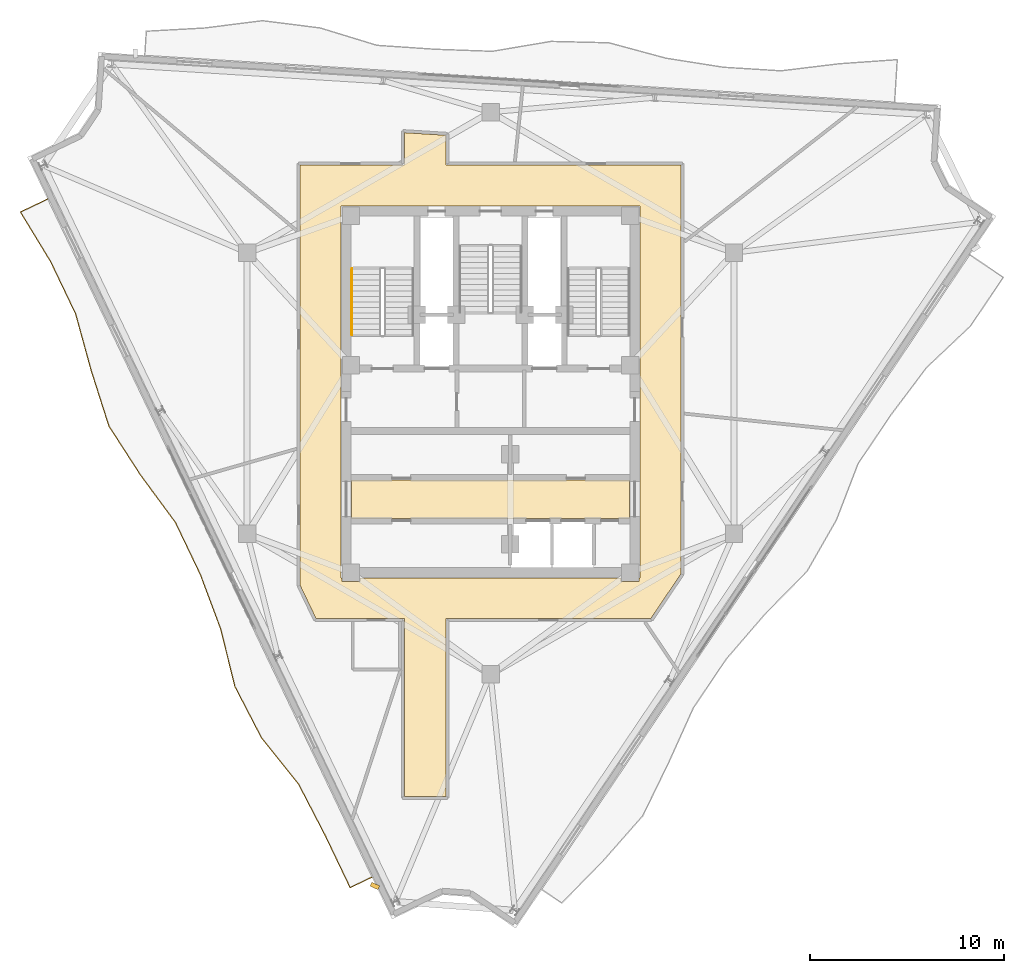
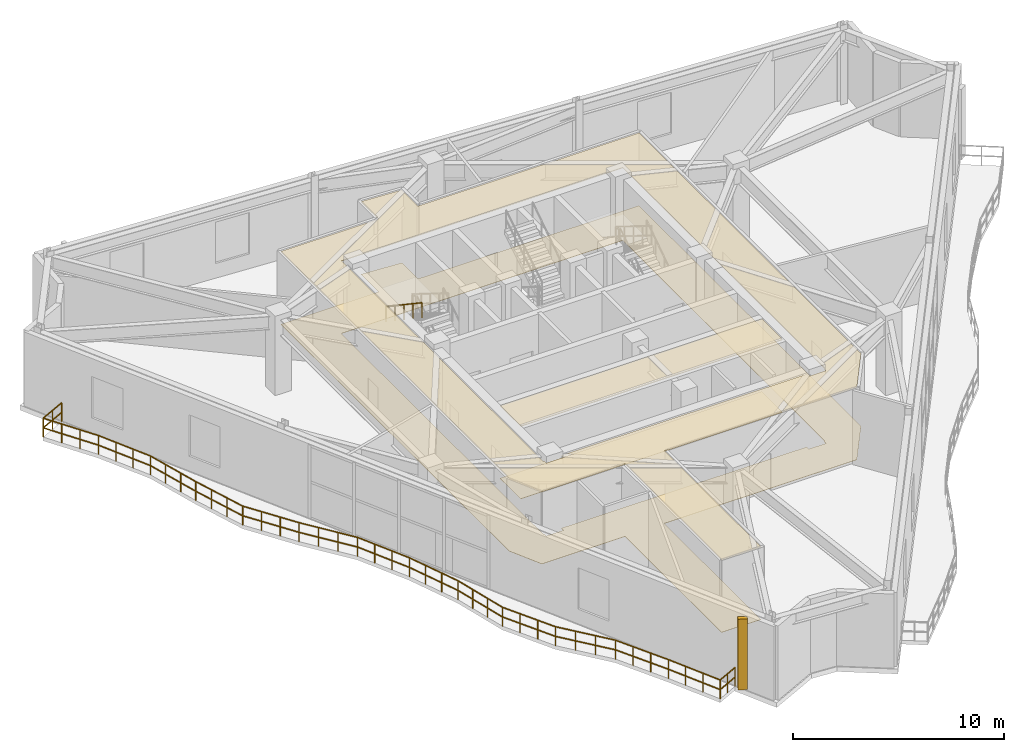
# One storey, part 13 of 15: 4 coverings, 2 railings, 1 shading device.
"""IFC4 building model written with IfcOpenShell, lengths in metres."""

import ifcopenshell
import ifcopenshell.guid

model = None  # the IFC model being written
_history = None  # IfcOwnerHistory: only IFC2X3 demands one
_inside = {}  # id of a spatial element -> (the spatial element, [elements in it])
_under = {}  # id of a project, library or spatial element -> (it, [spatial elements below it])
_declared = {}  # id of a project -> (the project, [libraries it declares])
_typed = {}  # id of a type object -> (the type object, [elements of that type])
_made_of = {}  # id of a material, layer set ... -> (it, [elements and type objects made of it])


def new_model(schema):
    """Start an empty IFC model of exactly this schema.

    Asked for "IFC4X3", IfcOpenShell would pick the latest addendum, in which some entities
    have other attributes; the version numbers below select the first issue.
    IFC2X3 requires an IfcOwnerHistory on every rooted entity: one is made here for all.
    """
    global model, _history
    if schema == "IFC4X3":
        model = ifcopenshell.file(schema_version=(4, 3, 0, 0))
    else:
        model = ifcopenshell.file(schema=schema)
    _inside.clear()
    _under.clear()
    _declared.clear()
    _typed.clear()
    _made_of.clear()
    _history = None
    if model.schema == "IFC2X3":
        org = make("IfcOrganization", Name="unknown")
        user = make(
            "IfcPersonAndOrganization",
            ThePerson=make("IfcPerson", FamilyName="unknown"),
            TheOrganization=org,
        )
        app = make(
            "IfcApplication",
            ApplicationDeveloper=org,
            Version="unknown",
            ApplicationFullName="unknown",
            ApplicationIdentifier="unknown",
        )
        _history = make(
            "IfcOwnerHistory",
            OwningUser=user,
            OwningApplication=app,
            ChangeAction="ADDED",
            CreationDate=0,
        )
    return model


def make(cls, **values):
    """One entity of the class cls with the attributes given. An attribute that is None is left unset."""
    return model.create_entity(
        cls, **{name: value for name, value in values.items() if value is not None}
    )


def rooted(cls, **values):
    """An entity with a GlobalId (a new one), such as an element, a storey or a relation."""
    return make(cls, GlobalId=ifcopenshell.guid.new(), OwnerHistory=_history, **values)


def si_unit(unit_type, name, prefix=None):
    """IfcSIUnit, for example si_unit("LENGTHUNIT", "METRE", prefix="MILLI")."""
    return make("IfcSIUnit", UnitType=unit_type, Prefix=prefix, Name=name)


def assignment(units):
    """IfcUnitAssignment: the units of a project."""
    return None if units is None else make("IfcUnitAssignment", Units=units)


def point(xyz):
    """IfcCartesianPoint."""
    return None if xyz is None else make("IfcCartesianPoint", Coordinates=xyz)


def direction(xyz):
    """IfcDirection."""
    return None if xyz is None else make("IfcDirection", DirectionRatios=xyz)


def frame(location, z_axis=None, x_axis=None):
    """IfcAxis2Placement3D, a coordinate frame: its origin and axes. An axis left out is left unset."""
    return make(
        "IfcAxis2Placement3D",
        Location=point(location),
        Axis=direction(z_axis),
        RefDirection=direction(x_axis),
    )


def frame_2d(location, x_axis=None):
    """IfcAxis2Placement2D, a coordinate frame in the plane: its origin and x axis."""
    return make(
        "IfcAxis2Placement2D", Location=point(location), RefDirection=direction(x_axis)
    )


def origin():
    """The frame at (0, 0, 0) with its axes left unset."""
    return frame((0.0, 0.0, 0.0))


def origin_2d():
    """The frame at (0, 0) in the plane with its x axis left unset."""
    return frame_2d((0.0, 0.0))


def place(relative_to, where):
    """IfcLocalPlacement: puts the frame where relative to a parent placement (None: the world)."""
    return make(
        "IfcLocalPlacement", PlacementRelTo=relative_to, RelativePlacement=where
    )


def context(
    kind, dimensions, precision=None, world=None, true_north=None, identifier=None
):
    """IfcGeometricRepresentationContext, for example the 3D "Model" context."""
    return make(
        "IfcGeometricRepresentationContext",
        ContextIdentifier=identifier,
        ContextType=kind,
        CoordinateSpaceDimension=dimensions,
        Precision=precision,
        WorldCoordinateSystem=world,
        TrueNorth=true_north,
    )


def subcontext(parent, identifier, kind, view, scale=None):
    """IfcGeometricRepresentationSubContext, for example "Body" below "Model"."""
    return make(
        "IfcGeometricRepresentationSubContext",
        ContextIdentifier=identifier,
        ContextType=kind,
        ParentContext=parent,
        TargetScale=scale,
        TargetView=view,
    )


def project(units=None, contexts=None):
    """IfcProject with its units and contexts."""
    return rooted(
        "IfcProject",
        Name="project",
        RepresentationContexts=contexts,
        UnitsInContext=assignment(units),
    )


def spatial(cls, under=None, at=None, **own):
    """A site, building, storey or space (cls), placed at a placement, below another one or the project."""
    s = rooted(cls, ObjectPlacement=at, **own)
    if under is not None:
        _under.setdefault(under.id(), (under, []))[1].append(s)
    return s


def polyline(points):
    """IfcPolyline through the points."""
    return make("IfcPolyline", Points=[point(p) for p in points])


def profile(cls, at=None, kind="AREA", **sizes):
    """A parametric profile (cls). Its sizes go by their IFC names, for example OverallWidth=200.0."""
    return make(cls, ProfileType=kind, Position=at, **sizes)


def rectangle(**sizes):
    """IfcRectangleProfileDef."""
    return profile("IfcRectangleProfileDef", **sizes)


def outline(outer, holes=None, kind="AREA"):
    """IfcArbitraryClosedProfileDef: a profile drawn as a closed curve; with holes, ...WithVoids."""
    if holes is None:
        return make("IfcArbitraryClosedProfileDef", ProfileType=kind, OuterCurve=outer)
    return make(
        "IfcArbitraryProfileDefWithVoids",
        ProfileType=kind,
        OuterCurve=outer,
        InnerCurves=holes,
    )


def extrude(swept, where, along, depth):
    """IfcExtrudedAreaSolid: the profile swept, set in the frame where, extruded along a direction by depth."""
    return make(
        "IfcExtrudedAreaSolid",
        SweptArea=swept,
        Position=where,
        ExtrudedDirection=direction(along),
        Depth=depth,
    )


def shape(context_of_items, identifier, shape_type, items):
    """IfcShapeRepresentation: the items that make up one representation, for example the "Body"."""
    return make(
        "IfcShapeRepresentation",
        ContextOfItems=context_of_items,
        RepresentationIdentifier=identifier,
        RepresentationType=shape_type,
        Items=items,
    )


def material(Name=None, Category=None):
    """IfcMaterial."""
    return make("IfcMaterial", Name=Name, Category=Category)


def layer(
    of_material, thickness, ventilated=None, Name=None, Category=None, Priority=None
):
    """IfcMaterialLayer: one layer of a wall or slab, of a material (None: an air gap)."""
    return make(
        "IfcMaterialLayer",
        Material=of_material,
        LayerThickness=thickness,
        IsVentilated=ventilated,
        Name=Name,
        Category=Category,
        Priority=Priority,
    )


def layer_set(layers, Name=None):
    """IfcMaterialLayerSet."""
    return make("IfcMaterialLayerSet", MaterialLayers=layers, LayerSetName=Name)


def made_of(thing, what):
    """Note that an element or type object is made of a material, layer set ...; save() writes the relation."""
    if what is not None:
        _made_of.setdefault(what.id(), (what, []))[1].append(thing)
    return thing


def type_object(cls, material=None, **own):
    """A type object (cls), such as IfcWallType, which elements share."""
    return made_of(rooted(cls, **own), material)


def element(
    cls,
    number,
    at=None,
    inside=None,
    cuts=None,
    type_object=None,
    material=None,
    context=None,
    identifier="Body",
    shape_type=None,
    held_by="IfcProductDefinitionShape",
    body=None,
    shapes=None,
    **own,
):
    """One element of the class cls, such as IfcWall. Its Tag is "e" and its number.

    at: its placement. inside: the storey or other place that contains it. cuts: it is an
    opening in that element (IfcRelVoidsElement). A single representation is given by context,
    identifier, shape_type and body (its items); several are given by shapes. held_by: the class
    of the entity that holds the representations. save() writes the other relations.
    """
    e = rooted(cls, Tag="e%d" % number, ObjectPlacement=at, **own)
    if body is not None:
        shapes = [shape(context, identifier, shape_type, body)]
    if shapes is not None:
        e.Representation = make(held_by, Representations=shapes)
    if inside is not None:
        _inside.setdefault(inside.id(), (inside, []))[1].append(e)
    if cuts is not None:
        rooted(
            "IfcRelVoidsElement", RelatingBuildingElement=cuts, RelatedOpeningElement=e
        )
    if type_object is not None:
        _typed.setdefault(type_object.id(), (type_object, []))[1].append(e)
    return made_of(e, material)


def aggregate(whole, parts):
    """IfcRelAggregates: a whole, such as a stair, and the parts it consists of."""
    return rooted("IfcRelAggregates", RelatingObject=whole, RelatedObjects=parts)


def save(model, path):
    """Write the relations noted so far, then the file.

    IfcRelAggregates (storeys below a building ...), IfcRelContainedInSpatialStructure (elements
    in a storey), IfcRelDefinesByType, IfcRelAssociatesMaterial and IfcRelDeclares: one each for
    every whole, place, type object, material and project.
    """
    for whole, parts in _under.values():
        aggregate(whole, parts)
    for where, things in _inside.values():
        rooted(
            "IfcRelContainedInSpatialStructure",
            RelatedElements=things,
            RelatingStructure=where,
        )
    for kind, things in _typed.values():
        rooted("IfcRelDefinesByType", RelatedObjects=things, RelatingType=kind)
    for what, things in _made_of.values():
        rooted("IfcRelAssociatesMaterial", RelatedObjects=things, RelatingMaterial=what)
    for by, libraries in _declared.values():
        rooted("IfcRelDeclares", RelatingContext=by, RelatedDefinitions=libraries)
    model.write(path)


model = new_model("IFC4")

# Units and contexts
model_context = context("Model", 3, precision=1e-05, world=origin(), true_north=direction((0.0, 1.0)))
body_context = subcontext(model_context, "Body", "Model", "MODEL_VIEW")
ifc_project = project(units=[si_unit("LENGTHUNIT", "METRE"), si_unit("AREAUNIT", "SQUARE_METRE"), si_unit("VOLUMEUNIT", "CUBIC_METRE"), si_unit("PLANEANGLEUNIT", "RADIAN"), si_unit("MASSUNIT", "GRAM", prefix="KILO")], contexts=[model_context])

# Site, building, storey
site_placement = place(None, origin())
site = spatial("IfcSite", under=ifc_project, at=site_placement, CompositionType="ELEMENT")
building_placement = place(site_placement, origin())
building = spatial("IfcBuilding", under=site, at=building_placement, Name="Apsidion Concourse Tower", CompositionType="ELEMENT")
storey_placement = place(building_placement, frame((0.0, 0.0, 323.39990234375)))
storey = spatial("IfcBuildingStorey", under=building, at=storey_placement, Name="L76", CompositionType="ELEMENT", Elevation=323.39990234375)

# Coverings
ifc_material_1 = material(Name="Acoustic mineral fibre ceiling")
ifc_layer_1 = layer(ifc_material_1, 0.0400390625)
ifc_layer_set_1 = layer_set([ifc_layer_1], Name="Acoustic mineral fibre ceiling")
covering_type_1 = type_object("IfcCoveringType", Name="COV-CEIL-40", PredefinedType="CEILING", material=ifc_layer_set_1)
covering_1_placement = place(storey_placement, frame((0.0, 0.0, 4.2001953125)))
element("IfcCovering", 1, at=covering_1_placement, inside=storey, type_object=covering_type_1, Name="L76 Acoustic Ceiling Grid 1", PredefinedType="CEILING", context=body_context, shape_type="SweptSolid", body=[
    extrude(outline(polyline([(-7.179931640625, -6.449951171875), (-7.179931640625, -4.47998046875), (7.179931640625, -4.47998046875), (7.179931640625, -6.449951171875), (-7.179931640625, -6.449951171875)])), origin(), (0.0, 0.0, 1.0), 0.039794921875),
])
covering_2_placement = place(storey_placement, frame((0.0, 0.0, 4.2001953125)))
element("IfcCovering", 2, at=covering_2_placement, inside=storey, type_object=covering_type_1, Name="L76 Acoustic Ceiling Grid 2", PredefinedType="CEILING", context=body_context, shape_type="SweptSolid", body=[
    extrude(outline(polyline([(-9.006103515625, -11.6201171875), (-9.820068359375, -9.9189453125), (-9.820068359375, 11.77001953125), (-4.449951171875, 11.77001953125), (-4.449951171875, 13.4423828125), (-2.300048828125, 13.30810546875), (-2.300048828125, 11.77001953125), (9.820068359375, 11.77001953125), (9.820068359375, -9.323974609375), (8.271240234375, -11.6201171875), (-2.300048828125, -11.6201171875), (-2.300048828125, -20.800048828125), (-4.449951171875, -20.800048828125), (-4.449951171875, -11.6201171875), (-9.006103515625, -11.6201171875)]), holes=[polyline([(-2.300048828125, 9.669921875), (-4.449951171875, 9.669921875), (-7.719970703125, 9.669921875), (-7.719970703125, -9.52001953125), (-7.669921875, -9.52001953125), (-7.669921875, -9.699951171875), (-7.669921875, -9.701904296875), (-7.669677734375, -9.703857421875), (-7.669189453125, -9.705810546875), (-7.66845703125, -9.707763671875), (-7.66748046875, -9.70947265625), (-7.66650390625, -9.711181640625), (-7.66552734375, -9.712646484375), (-7.6640625, -9.714111328125), (-7.66259765625, -9.715576171875), (-7.6611328125, -9.716552734375), (-7.659423828125, -9.717529296875), (-7.65771484375, -9.718505859375), (-7.65576171875, -9.718994140625), (-7.65380859375, -9.719482421875), (-7.652099609375, -9.719970703125), (-7.64990234375, -9.719970703125), (-6.75, -9.719970703125), (-6.748046875, -9.719970703125), (-6.74609375, -9.719482421875), (-6.744140625, -9.718994140625), (-6.7421875, -9.718505859375), (-6.740478515625, -9.717529296875), (-6.739013671875, -9.716552734375), (-6.7373046875, -9.715576171875), (-6.73583984375, -9.714111328125), (-6.734619140625, -9.712646484375), (-6.7333984375, -9.711181640625), (-6.732421875, -9.70947265625), (-6.7314453125, -9.707763671875), (-6.73095703125, -9.705810546875), (-6.73046875, -9.703857421875), (-6.72998046875, -9.701904296875), (-6.72998046875, -9.699951171875), (-6.72998046875, -9.52001953125), (-4.449951171875, -9.52001953125), (-2.300048828125, -9.52001953125), (6.72998046875, -9.52001953125), (6.72998046875, -9.699951171875), (6.72998046875, -9.701904296875), (6.73046875, -9.703857421875), (6.73095703125, -9.705810546875), (6.7314453125, -9.707763671875), (6.732421875, -9.70947265625), (6.7333984375, -9.711181640625), (6.734619140625, -9.712646484375), (6.73583984375, -9.714111328125), (6.7373046875, -9.715576171875), (6.739013671875, -9.716552734375), (6.740478515625, -9.717529296875), (6.7421875, -9.718505859375), (6.744140625, -9.718994140625), (6.74609375, -9.719482421875), (6.748046875, -9.719970703125), (6.75, -9.719970703125), (7.64990234375, -9.719970703125), (7.652099609375, -9.719970703125), (7.65380859375, -9.719482421875), (7.65576171875, -9.718994140625), (7.65771484375, -9.718505859375), (7.659423828125, -9.717529296875), (7.6611328125, -9.716552734375), (7.66259765625, -9.715576171875), (7.6640625, -9.714111328125), (7.66552734375, -9.712646484375), (7.66650390625, -9.711181640625), (7.66748046875, -9.70947265625), (7.66845703125, -9.707763671875), (7.669189453125, -9.705810546875), (7.669677734375, -9.703857421875), (7.669921875, -9.701904296875), (7.669921875, -9.699951171875), (7.669921875, -9.52001953125), (7.719970703125, -9.52001953125), (7.719970703125, 9.669921875), (-2.300048828125, 9.669921875)])]), origin(), (0.0, 0.0, 1.0), 0.039794921875),
])
ifc_material_2 = material(Name="Honed travertine floor finish", Category="masonry")
ifc_layer_2 = layer(ifc_material_2, 0.02001953125)
ifc_layer_set_2 = layer_set([ifc_layer_2], Name="Honed travertine floor finish")
covering_type_2 = type_object("IfcCoveringType", Name="COV-FLOR-20", PredefinedType="FLOORING", material=ifc_layer_set_2)
covering_3_placement = place(storey_placement, origin())
element("IfcCovering", 3, at=covering_3_placement, inside=storey, type_object=covering_type_2, Name="L76 Honed Travertine Floor Finish 1", PredefinedType="FLOORING", context=body_context, shape_type="SweptSolid", body=[
    extrude(outline(polyline([(-7.179931640625, -6.449951171875), (-7.179931640625, -4.47998046875), (7.179931640625, -4.47998046875), (7.179931640625, -6.449951171875), (-7.179931640625, -6.449951171875)])), origin(), (0.0, 0.0, 1.0), 0.02001953125),
])
covering_4_placement = place(storey_placement, origin())
element("IfcCovering", 4, at=covering_4_placement, inside=storey, type_object=covering_type_2, Name="L76 Honed Travertine Floor Finish 2", PredefinedType="FLOORING", context=body_context, shape_type="SweptSolid", body=[
    extrude(outline(polyline([(-9.006103515625, -11.6201171875), (-9.820068359375, -9.9189453125), (-9.820068359375, 11.77001953125), (-4.449951171875, 11.77001953125), (-4.449951171875, 13.4423828125), (-2.300048828125, 13.30810546875), (-2.300048828125, 11.77001953125), (9.820068359375, 11.77001953125), (9.820068359375, -9.323974609375), (8.271240234375, -11.6201171875), (-2.300048828125, -11.6201171875), (-2.300048828125, -20.800048828125), (-4.449951171875, -20.800048828125), (-4.449951171875, -11.6201171875), (-9.006103515625, -11.6201171875)]), holes=[polyline([(-2.300048828125, 9.669921875), (-4.449951171875, 9.669921875), (-7.719970703125, 9.669921875), (-7.719970703125, -9.52001953125), (-7.669921875, -9.52001953125), (-7.669921875, -9.699951171875), (-7.669921875, -9.701904296875), (-7.669677734375, -9.703857421875), (-7.669189453125, -9.705810546875), (-7.66845703125, -9.707763671875), (-7.66748046875, -9.70947265625), (-7.66650390625, -9.711181640625), (-7.66552734375, -9.712646484375), (-7.6640625, -9.714111328125), (-7.66259765625, -9.715576171875), (-7.6611328125, -9.716552734375), (-7.659423828125, -9.717529296875), (-7.65771484375, -9.718505859375), (-7.65576171875, -9.718994140625), (-7.65380859375, -9.719482421875), (-7.652099609375, -9.719970703125), (-7.64990234375, -9.719970703125), (-6.75, -9.719970703125), (-6.748046875, -9.719970703125), (-6.74609375, -9.719482421875), (-6.744140625, -9.718994140625), (-6.7421875, -9.718505859375), (-6.740478515625, -9.717529296875), (-6.739013671875, -9.716552734375), (-6.7373046875, -9.715576171875), (-6.73583984375, -9.714111328125), (-6.734619140625, -9.712646484375), (-6.7333984375, -9.711181640625), (-6.732421875, -9.70947265625), (-6.7314453125, -9.707763671875), (-6.73095703125, -9.705810546875), (-6.73046875, -9.703857421875), (-6.72998046875, -9.701904296875), (-6.72998046875, -9.699951171875), (-6.72998046875, -9.52001953125), (-4.449951171875, -9.52001953125), (-2.300048828125, -9.52001953125), (6.72998046875, -9.52001953125), (6.72998046875, -9.699951171875), (6.72998046875, -9.701904296875), (6.73046875, -9.703857421875), (6.73095703125, -9.705810546875), (6.7314453125, -9.707763671875), (6.732421875, -9.70947265625), (6.7333984375, -9.711181640625), (6.734619140625, -9.712646484375), (6.73583984375, -9.714111328125), (6.7373046875, -9.715576171875), (6.739013671875, -9.716552734375), (6.740478515625, -9.717529296875), (6.7421875, -9.718505859375), (6.744140625, -9.718994140625), (6.74609375, -9.719482421875), (6.748046875, -9.719970703125), (6.75, -9.719970703125), (7.64990234375, -9.719970703125), (7.652099609375, -9.719970703125), (7.65380859375, -9.719482421875), (7.65576171875, -9.718994140625), (7.65771484375, -9.718505859375), (7.659423828125, -9.717529296875), (7.6611328125, -9.716552734375), (7.66259765625, -9.715576171875), (7.6640625, -9.714111328125), (7.66552734375, -9.712646484375), (7.66650390625, -9.711181640625), (7.66748046875, -9.70947265625), (7.66845703125, -9.707763671875), (7.669189453125, -9.705810546875), (7.669677734375, -9.703857421875), (7.669921875, -9.701904296875), (7.669921875, -9.699951171875), (7.669921875, -9.52001953125), (7.719970703125, -9.52001953125), (7.719970703125, 9.669921875), (-2.300048828125, 9.669921875)])]), origin(), (0.0, 0.0, 1.0), 0.02001953125),
])

# Railings
ifc_material_3 = material(Name="Brushed stainless steel 316", Category="steel")
railing_type_1 = type_object("IfcRailingType", Name="RL-BAL-1120", PredefinedType="BALUSTRADE", material=ifc_material_3)
railing_1_placement = place(storey_placement, frame((-6.1181640625, -24.96630859375, 0.0)))
element("IfcRailing", 5, at=railing_1_placement, inside=storey, type_object=railing_type_1, Name="L76 Face 1 Rippling Balcony Balustrade", PredefinedType="BALUSTRADE", context=body_context, shape_type="SweptSolid", body=[
    extrude(rectangle(XDim=0.048095703125, YDim=0.048095703125, at=origin_2d()), frame((0.0, 0.0, 1.09619140625), z_axis=(-0.902101174991, -0.431524588037, 0.0), x_axis=(0.431524588037, -0.902101174991, 0.0)), (0.0, 0.0, 1.0), 1.250244140625),
    extrude(rectangle(XDim=0.048095703125, YDim=0.048095703125, at=origin_2d()), frame((0.0, 0.0, 0.5361328125), z_axis=(-0.902101174991, -0.431524588037, 0.0), x_axis=(0.431524588037, -0.902101174991, 0.0)), (0.0, 0.0, 1.0), 1.250244140625),
    extrude(rectangle(XDim=0.048095703125, YDim=0.048095703125, at=origin_2d()), frame((-1.1279296875, -0.53955078125, 1.09619140625), z_axis=(-0.431464184989, 0.902130066604, 0.0), x_axis=(-0.902130066604, -0.431464184989, 0.0)), (0.0, 0.0, 1.0), 2.983154296875),
    extrude(rectangle(XDim=0.048095703125, YDim=0.048095703125, at=origin_2d()), frame((-1.1279296875, -0.53955078125, 0.5361328125), z_axis=(-0.431464184989, 0.902130066604, 0.0), x_axis=(-0.902130066604, -0.431464184989, 0.0)), (0.0, 0.0, 1.0), 2.983154296875),
    extrude(rectangle(XDim=0.048095703125, YDim=0.048095703125, at=origin_2d()), frame((-2.4150390625, 2.151611328125, 1.09619140625), z_axis=(-0.46031955229, 0.887753293308, 0.0), x_axis=(-0.887753293308, -0.46031955229, 0.0)), (0.0, 0.0, 1.0), 2.984375),
    extrude(rectangle(XDim=0.048095703125, YDim=0.048095703125, at=origin_2d()), frame((-2.4150390625, 2.151611328125, 0.5361328125), z_axis=(-0.46031955229, 0.887753293308, 0.0), x_axis=(-0.887753293308, -0.46031955229, 0.0)), (0.0, 0.0, 1.0), 2.984375),
    extrude(rectangle(XDim=0.048095703125, YDim=0.048095703125, at=origin_2d()), frame((-3.788818359375, 4.801025390625, 1.09619140625), z_axis=(-0.624617277393, 0.780931019221, 0.0), x_axis=(-0.780931019221, -0.624617277393, 0.0)), (0.0, 0.0, 1.0), 3.062744140625),
    extrude(rectangle(XDim=0.048095703125, YDim=0.048095703125, at=origin_2d()), frame((-3.788818359375, 4.801025390625, 0.5361328125), z_axis=(-0.624617277393, 0.780931019221, 0.0), x_axis=(-0.780931019221, -0.624617277393, 0.0)), (0.0, 0.0, 1.0), 3.062744140625),
    extrude(rectangle(XDim=0.048095703125, YDim=0.048095703125, at=origin_2d()), frame((-5.701904296875, 7.19287109375, 1.09619140625), z_axis=(-0.460221651682, 0.887804050071, 0.0), x_axis=(-0.887804050071, -0.460221651682, 0.0)), (0.0, 0.0, 1.0), 2.984619140625),
    extrude(rectangle(XDim=0.048095703125, YDim=0.048095703125, at=origin_2d()), frame((-5.701904296875, 7.19287109375, 0.5361328125), z_axis=(-0.460221651682, 0.887804050071, 0.0), x_axis=(-0.887804050071, -0.460221651682, 0.0)), (0.0, 0.0, 1.0), 2.984619140625),
    extrude(rectangle(XDim=0.048095703125, YDim=0.048095703125, at=origin_2d()), frame((-7.075439453125, 9.842529296875, 1.09619140625), z_axis=(-0.239272433826, 0.970952471757, 0.0), x_axis=(-0.970952471757, -0.239272433826, 0.0)), (0.0, 0.0, 1.0), 3.046630859375),
    extrude(rectangle(XDim=0.048095703125, YDim=0.048095703125, at=origin_2d()), frame((-7.075439453125, 9.842529296875, 0.5361328125), z_axis=(-0.239272433826, 0.970952471757, 0.0), x_axis=(-0.970952471757, -0.239272433826, 0.0)), (0.0, 0.0, 1.0), 3.046630859375),
    extrude(rectangle(XDim=0.048095703125, YDim=0.048095703125, at=origin_2d()), frame((-7.804443359375, 12.80078125, 1.09619140625), z_axis=(-0.349970710877, 0.936760642602, 0.0), x_axis=(-0.936760642602, -0.349970710877, 0.0)), (0.0, 0.0, 1.0), 2.994873046875),
    extrude(rectangle(XDim=0.048095703125, YDim=0.048095703125, at=origin_2d()), frame((-7.804443359375, 12.80078125, 0.5361328125), z_axis=(-0.349970710877, 0.936760642602, 0.0), x_axis=(-0.936760642602, -0.349970710877, 0.0)), (0.0, 0.0, 1.0), 2.994873046875),
    extrude(rectangle(XDim=0.048095703125, YDim=0.048095703125, at=origin_2d()), frame((-8.8525390625, 15.606201171875, 1.09619140625), z_axis=(-0.431562646754, 0.902082968428, 0.0), x_axis=(-0.902082968428, -0.431562646754, 0.0)), (0.0, 0.0, 1.0), 2.98291015625),
    extrude(rectangle(XDim=0.048095703125, YDim=0.048095703125, at=origin_2d()), frame((-8.8525390625, 15.606201171875, 0.5361328125), z_axis=(-0.431562646754, 0.902082968428, 0.0), x_axis=(-0.902082968428, -0.431562646754, 0.0)), (0.0, 0.0, 1.0), 2.98291015625),
    extrude(rectangle(XDim=0.048095703125, YDim=0.048095703125, at=origin_2d()), frame((-10.139892578125, 18.297119140625, 1.09619140625), z_axis=(-0.592836981481, 0.805322490303, 0.0), x_axis=(-0.805322490303, -0.592836981481, 0.0)), (0.0, 0.0, 1.0), 3.03662109375),
    extrude(rectangle(XDim=0.048095703125, YDim=0.048095703125, at=origin_2d()), frame((-10.139892578125, 18.297119140625, 0.5361328125), z_axis=(-0.592836981481, 0.805322490303, 0.0), x_axis=(-0.805322490303, -0.592836981481, 0.0)), (0.0, 0.0, 1.0), 3.03662109375),
    extrude(rectangle(XDim=0.048095703125, YDim=0.048095703125, at=origin_2d()), frame((-11.940185546875, 20.74267578125, 1.09619140625), z_axis=(-0.542463368056, 0.840079457145, 0.0), x_axis=(-0.840079457145, -0.542463368056, 0.0)), (0.0, 0.0, 1.0), 3.00732421875),
    extrude(rectangle(XDim=0.048095703125, YDim=0.048095703125, at=origin_2d()), frame((-11.940185546875, 20.74267578125, 0.5361328125), z_axis=(-0.542463368056, 0.840079457145, 0.0), x_axis=(-0.840079457145, -0.542463368056, 0.0)), (0.0, 0.0, 1.0), 3.00732421875),
    extrude(rectangle(XDim=0.048095703125, YDim=0.048095703125, at=origin_2d()), frame((-13.571533203125, 23.26904296875, 1.09619140625), z_axis=(-0.303822589075, 0.952728625773, 0.0), x_axis=(-0.952728625773, -0.303822589075, 0.0)), (0.0, 0.0, 1.0), 3.01171875),
    extrude(rectangle(XDim=0.048095703125, YDim=0.048095703125, at=origin_2d()), frame((-13.571533203125, 23.26904296875, 0.5361328125), z_axis=(-0.303822589075, 0.952728625773, 0.0), x_axis=(-0.952728625773, -0.303822589075, 0.0)), (0.0, 0.0, 1.0), 3.01171875),
    extrude(rectangle(XDim=0.048095703125, YDim=0.048095703125, at=origin_2d()), frame((-14.486572265625, 26.138427734375, 1.09619140625), z_axis=(-0.265025420984, 0.964241425283, 0.0), x_axis=(-0.964241425283, -0.265025420984, 0.0)), (0.0, 0.0, 1.0), 3.03076171875),
    extrude(rectangle(XDim=0.048095703125, YDim=0.048095703125, at=origin_2d()), frame((-14.486572265625, 26.138427734375, 0.5361328125), z_axis=(-0.265025420984, 0.964241425283, 0.0), x_axis=(-0.964241425283, -0.265025420984, 0.0)), (0.0, 0.0, 1.0), 3.03076171875),
    extrude(rectangle(XDim=0.048095703125, YDim=0.048095703125, at=origin_2d()), frame((-15.289794921875, 29.060791015625, 1.09619140625), z_axis=(-0.431629243963, 0.902051104847, 0.0), x_axis=(-0.902051104847, -0.431629243963, 0.0)), (0.0, 0.0, 1.0), 2.983154296875),
    extrude(rectangle(XDim=0.048095703125, YDim=0.048095703125, at=origin_2d()), frame((-15.289794921875, 29.060791015625, 0.5361328125), z_axis=(-0.431629243963, 0.902051104847, 0.0), x_axis=(-0.902051104847, -0.431629243963, 0.0)), (0.0, 0.0, 1.0), 2.983154296875),
    extrude(rectangle(XDim=0.048095703125, YDim=0.048095703125, at=origin_2d()), frame((-16.577392578125, 31.751708984375, 1.09619140625), z_axis=(-0.519683427346, 0.854358903121, 0.0), x_axis=(-0.854358903121, -0.519683427346, 0.0)), (0.0, 0.0, 1.0), 2.998291015625),
    extrude(rectangle(XDim=0.048095703125, YDim=0.048095703125, at=origin_2d()), frame((-16.577392578125, 31.751708984375, 0.5361328125), z_axis=(-0.519683427346, 0.854358903121, 0.0), x_axis=(-0.854358903121, -0.519683427346, 0.0)), (0.0, 0.0, 1.0), 2.998291015625),
    extrude(rectangle(XDim=0.048095703125, YDim=0.048095703125, at=origin_2d()), frame((-18.135498046875, 34.313232421875, 1.09619140625), z_axis=(0.902072903897, 0.431583683722, 0.0), x_axis=(-0.431583683722, 0.902072903897, 0.0)), (0.0, 0.0, 1.0), 1.550048828125),
    extrude(rectangle(XDim=0.048095703125, YDim=0.048095703125, at=origin_2d()), frame((-18.135498046875, 34.313232421875, 0.5361328125), z_axis=(0.902072903897, 0.431583683722, 0.0), x_axis=(-0.431583683722, 0.902072903897, 0.0)), (0.0, 0.0, 1.0), 1.550048828125),
    extrude(rectangle(XDim=0.0419921875, YDim=0.0419921875, at=origin_2d()), origin(), (0.0, 0.0, 1.0), 1.072021484375),
    extrude(rectangle(XDim=0.0419921875, YDim=0.0419921875, at=origin_2d()), frame((-0.56396484375, -0.269775390625, 0.0)), (0.0, 0.0, 1.0), 1.072021484375),
    extrude(rectangle(XDim=0.0419921875, YDim=0.0419921875, at=origin_2d()), frame((-1.1279296875, -0.53955078125, 0.0)), (0.0, 0.0, 1.0), 1.072021484375),
    extrude(rectangle(XDim=0.0419921875, YDim=0.0419921875, at=origin_2d()), frame((-1.556884765625, 0.357421875, 0.0)), (0.0, 0.0, 1.0), 1.072021484375),
    extrude(rectangle(XDim=0.0419921875, YDim=0.0419921875, at=origin_2d()), frame((-1.986083984375, 1.254638671875, 0.0)), (0.0, 0.0, 1.0), 1.072021484375),
    extrude(rectangle(XDim=0.0419921875, YDim=0.0419921875, at=origin_2d()), frame((-2.4150390625, 2.151611328125, 0.0)), (0.0, 0.0, 1.0), 1.072021484375),
    extrude(rectangle(XDim=0.0419921875, YDim=0.0419921875, at=origin_2d()), frame((-2.873046875, 3.03466796875, 0.0)), (0.0, 0.0, 1.0), 1.072021484375),
    extrude(rectangle(XDim=0.0419921875, YDim=0.0419921875, at=origin_2d()), frame((-3.330810546875, 3.91796875, 0.0)), (0.0, 0.0, 1.0), 1.072021484375),
    extrude(rectangle(XDim=0.0419921875, YDim=0.0419921875, at=origin_2d()), frame((-3.788818359375, 4.801025390625, 0.0)), (0.0, 0.0, 1.0), 1.072021484375),
    extrude(rectangle(XDim=0.0419921875, YDim=0.0419921875, at=origin_2d()), frame((-4.426513671875, 5.598388671875, 0.0)), (0.0, 0.0, 1.0), 1.072021484375),
    extrude(rectangle(XDim=0.0419921875, YDim=0.0419921875, at=origin_2d()), frame((-5.064208984375, 6.3955078125, 0.0)), (0.0, 0.0, 1.0), 1.072021484375),
    extrude(rectangle(XDim=0.0419921875, YDim=0.0419921875, at=origin_2d()), frame((-5.701904296875, 7.19287109375, 0.0)), (0.0, 0.0, 1.0), 1.072021484375),
    extrude(rectangle(XDim=0.0419921875, YDim=0.0419921875, at=origin_2d()), frame((-6.15966796875, 8.076171875, 0.0)), (0.0, 0.0, 1.0), 1.072021484375),
    extrude(rectangle(XDim=0.0419921875, YDim=0.0419921875, at=origin_2d()), frame((-6.61767578125, 8.959228515625, 0.0)), (0.0, 0.0, 1.0), 1.072021484375),
    extrude(rectangle(XDim=0.0419921875, YDim=0.0419921875, at=origin_2d()), frame((-7.075439453125, 9.842529296875, 0.0)), (0.0, 0.0, 1.0), 1.072021484375),
    extrude(rectangle(XDim=0.0419921875, YDim=0.0419921875, at=origin_2d()), frame((-7.318359375, 10.82861328125, 0.0)), (0.0, 0.0, 1.0), 1.072021484375),
    extrude(rectangle(XDim=0.0419921875, YDim=0.0419921875, at=origin_2d()), frame((-7.5615234375, 11.814697265625, 0.0)), (0.0, 0.0, 1.0), 1.072021484375),
    extrude(rectangle(XDim=0.0419921875, YDim=0.0419921875, at=origin_2d()), frame((-7.804443359375, 12.80078125, 0.0)), (0.0, 0.0, 1.0), 1.072021484375),
    extrude(rectangle(XDim=0.0419921875, YDim=0.0419921875, at=origin_2d()), frame((-8.15380859375, 13.73583984375, 0.0)), (0.0, 0.0, 1.0), 1.072021484375),
    extrude(rectangle(XDim=0.0419921875, YDim=0.0419921875, at=origin_2d()), frame((-8.503173828125, 14.671142578125, 0.0)), (0.0, 0.0, 1.0), 1.072021484375),
    extrude(rectangle(XDim=0.0419921875, YDim=0.0419921875, at=origin_2d()), frame((-8.8525390625, 15.606201171875, 0.0)), (0.0, 0.0, 1.0), 1.072021484375),
    extrude(rectangle(XDim=0.0419921875, YDim=0.0419921875, at=origin_2d()), frame((-9.28173828125, 16.503173828125, 0.0)), (0.0, 0.0, 1.0), 1.072021484375),
    extrude(rectangle(XDim=0.0419921875, YDim=0.0419921875, at=origin_2d()), frame((-9.710693359375, 17.400146484375, 0.0)), (0.0, 0.0, 1.0), 1.072021484375),
    extrude(rectangle(XDim=0.0419921875, YDim=0.0419921875, at=origin_2d()), frame((-10.139892578125, 18.297119140625, 0.0)), (0.0, 0.0, 1.0), 1.072021484375),
    extrude(rectangle(XDim=0.0419921875, YDim=0.0419921875, at=origin_2d()), frame((-10.739990234375, 19.1123046875, 0.0)), (0.0, 0.0, 1.0), 1.072021484375),
    extrude(rectangle(XDim=0.0419921875, YDim=0.0419921875, at=origin_2d()), frame((-11.340087890625, 19.927490234375, 0.0)), (0.0, 0.0, 1.0), 1.072021484375),
    extrude(rectangle(XDim=0.0419921875, YDim=0.0419921875, at=origin_2d()), frame((-11.940185546875, 20.74267578125, 0.0)), (0.0, 0.0, 1.0), 1.072021484375),
    extrude(rectangle(XDim=0.0419921875, YDim=0.0419921875, at=origin_2d()), frame((-12.48388671875, 21.584716796875, 0.0)), (0.0, 0.0, 1.0), 1.072021484375),
    extrude(rectangle(XDim=0.0419921875, YDim=0.0419921875, at=origin_2d()), frame((-13.02783203125, 22.427001953125, 0.0)), (0.0, 0.0, 1.0), 1.072021484375),
    extrude(rectangle(XDim=0.0419921875, YDim=0.0419921875, at=origin_2d()), frame((-13.571533203125, 23.26904296875, 0.0)), (0.0, 0.0, 1.0), 1.072021484375),
    extrude(rectangle(XDim=0.0419921875, YDim=0.0419921875, at=origin_2d()), frame((-13.87646484375, 24.2255859375, 0.0)), (0.0, 0.0, 1.0), 1.072021484375),
    extrude(rectangle(XDim=0.0419921875, YDim=0.0419921875, at=origin_2d()), frame((-14.181640625, 25.181884765625, 0.0)), (0.0, 0.0, 1.0), 1.072021484375),
    extrude(rectangle(XDim=0.0419921875, YDim=0.0419921875, at=origin_2d()), frame((-14.486572265625, 26.138427734375, 0.0)), (0.0, 0.0, 1.0), 1.072021484375),
    extrude(rectangle(XDim=0.0419921875, YDim=0.0419921875, at=origin_2d()), frame((-14.75439453125, 27.112548828125, 0.0)), (0.0, 0.0, 1.0), 1.072021484375),
    extrude(rectangle(XDim=0.0419921875, YDim=0.0419921875, at=origin_2d()), frame((-15.02197265625, 28.086669921875, 0.0)), (0.0, 0.0, 1.0), 1.072021484375),
    extrude(rectangle(XDim=0.0419921875, YDim=0.0419921875, at=origin_2d()), frame((-15.289794921875, 29.060791015625, 0.0)), (0.0, 0.0, 1.0), 1.072021484375),
    extrude(rectangle(XDim=0.0419921875, YDim=0.0419921875, at=origin_2d()), frame((-15.718994140625, 29.957763671875, 0.0)), (0.0, 0.0, 1.0), 1.072021484375),
    extrude(rectangle(XDim=0.0419921875, YDim=0.0419921875, at=origin_2d()), frame((-16.148193359375, 30.854736328125, 0.0)), (0.0, 0.0, 1.0), 1.072021484375),
    extrude(rectangle(XDim=0.0419921875, YDim=0.0419921875, at=origin_2d()), frame((-16.577392578125, 31.751708984375, 0.0)), (0.0, 0.0, 1.0), 1.072021484375),
    extrude(rectangle(XDim=0.0419921875, YDim=0.0419921875, at=origin_2d()), frame((-17.0966796875, 32.60546875, 0.0)), (0.0, 0.0, 1.0), 1.072021484375),
    extrude(rectangle(XDim=0.0419921875, YDim=0.0419921875, at=origin_2d()), frame((-17.6162109375, 33.45947265625, 0.0)), (0.0, 0.0, 1.0), 1.072021484375),
    extrude(rectangle(XDim=0.0419921875, YDim=0.0419921875, at=origin_2d()), frame((-18.135498046875, 34.313232421875, 0.0)), (0.0, 0.0, 1.0), 1.072021484375),
    extrude(rectangle(XDim=0.0419921875, YDim=0.0419921875, at=origin_2d()), frame((-17.4365234375, 34.647705078125, 0.0)), (0.0, 0.0, 1.0), 1.072021484375),
    extrude(rectangle(XDim=0.0419921875, YDim=0.0419921875, at=origin_2d()), frame((-16.7373046875, 34.982177734375, 0.0)), (0.0, 0.0, 1.0), 1.072021484375),
])
railing_type_2 = type_object("IfcRailingType", Name="RL-HAND-900", PredefinedType="HANDRAIL", material=ifc_material_3)
railing_2_placement = place(storey_placement, frame((-7.14990234375, 6.419921875, 2.47705078125)))
element("IfcRailing", 6, at=railing_2_placement, inside=storey, type_object=railing_type_2, Name="L76 ST1 stair handrail 2", PredefinedType="HANDRAIL", context=body_context, shape_type="SweptSolid", body=[
    extrude(rectangle(XDim=0.048095703125, YDim=0.048095703125, at=origin_2d()), frame((0.0, 0.0, 0.8759765625), z_axis=(0.0, -0.8297924358, 0.55807214004), x_axis=(1.0, 0.0, 0.0)), (0.0, 0.0, 1.0), 4.121337890625),
    extrude(rectangle(XDim=0.0419921875, YDim=0.0419921875, at=origin_2d()), origin(), (0.0, 0.0, 1.0), 0.851806640625),
    extrude(rectangle(XDim=0.0419921875, YDim=0.0419921875, at=origin_2d()), frame((0.0, -0.85498046875, 0.574951171875)), (0.0, 0.0, 1.0), 0.851806640625),
    extrude(rectangle(XDim=0.0419921875, YDim=0.0419921875, at=origin_2d()), frame((0.0, -1.7099609375, 1.14990234375)), (0.0, 0.0, 1.0), 0.851806640625),
    extrude(rectangle(XDim=0.0419921875, YDim=0.0419921875, at=origin_2d()), frame((0.0, -2.56494140625, 1.72509765625)), (0.0, 0.0, 1.0), 0.851806640625),
    extrude(rectangle(XDim=0.0419921875, YDim=0.0419921875, at=origin_2d()), frame((0.0, -3.419921875, 2.300048828125)), (0.0, 0.0, 1.0), 0.851806640625),
])

# Shading device
ifc_material_4 = material(Name="Anodised aluminium EN AW-6063 T6", Category="aluminium")
shading_device_type = type_object("IfcShadingDeviceType", Name="SH-FIN-STONE", PredefinedType="USERDEFINED", material=ifc_material_4)
shading_device_placement = place(storey_placement, frame((-5.96826171875, -25.418701171875, 0.10009765625), z_axis=(0.0, 0.0, 1.0), x_axis=(-0.431613491188, -0.902058642343, 0.0)))
element("IfcShadingDevice", 7, at=shading_device_placement, inside=storey, type_object=shading_device_type, Name="L76 Facade Vertical Solar Fin 9", ObjectType="FIN", PredefinedType="USERDEFINED", context=body_context, shape_type="SweptSolid", body=[
    extrude(rectangle(XDim=0.219970703125, YDim=0.449951171875, at=origin_2d()), origin(), (0.0, 0.0, 1.0), 4.10009765625),
])

save(model, "model.ifc")
